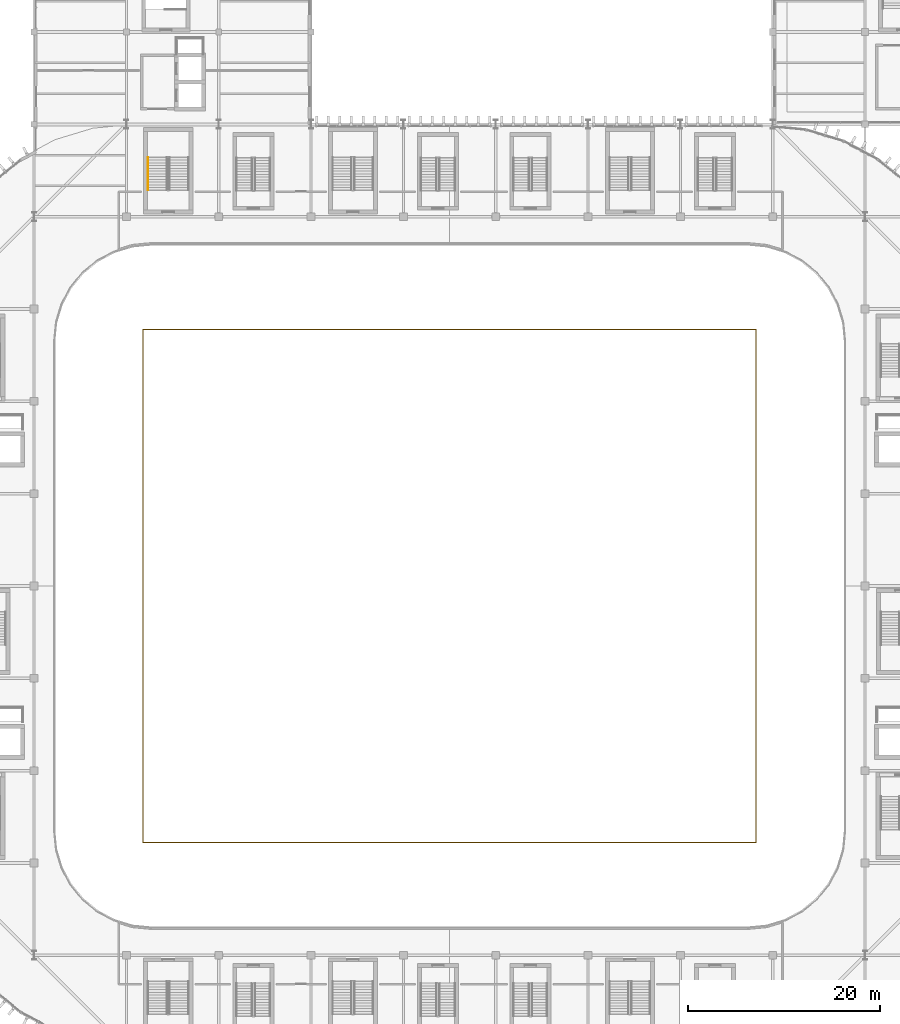
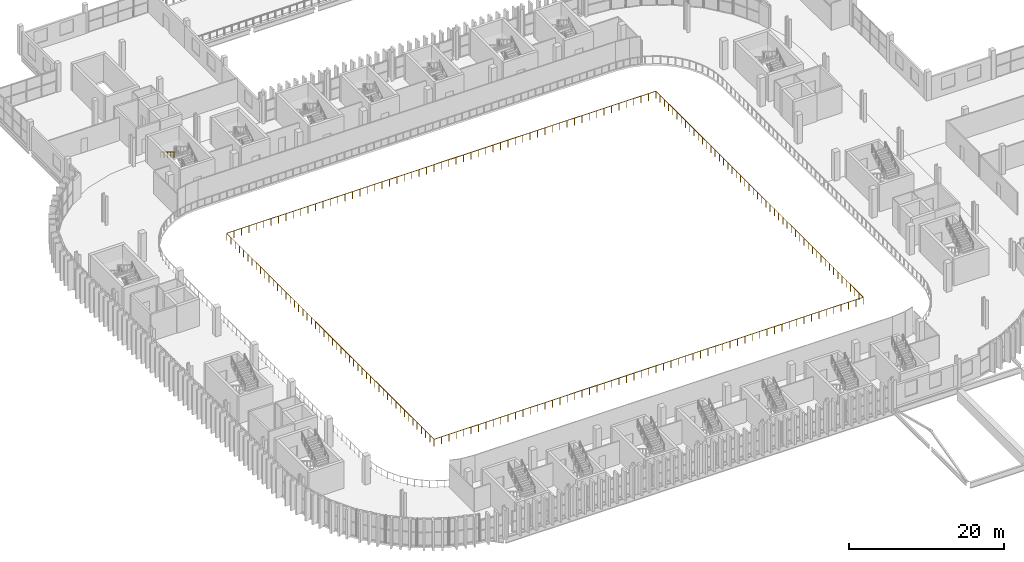
# One storey, part 67 of 75: 2 railings.
"""IFC4 building model written with IfcOpenShell, lengths in metres."""

from ifc_helpers import new_model, si_unit, direction, frame, origin, origin_2d, place, context, subcontext, project, spatial, circle, extrude, material, type_object, element, save


model = new_model("IFC4")

# Units and contexts
model_context = context("Model", 3, precision=1e-05, world=origin(), true_north=direction((0.0, 1.0)))
body_context = subcontext(model_context, "Body", "Model", "MODEL_VIEW")
ifc_project = project(units=[si_unit("LENGTHUNIT", "METRE"), si_unit("AREAUNIT", "SQUARE_METRE"), si_unit("VOLUMEUNIT", "CUBIC_METRE"), si_unit("PLANEANGLEUNIT", "RADIAN"), si_unit("MASSUNIT", "GRAM", prefix="KILO")], contexts=[model_context])

# Site, building, storey
site_placement = place(None, origin())
site = spatial("IfcSite", under=ifc_project, at=site_placement, CompositionType="ELEMENT")
building_placement = place(site_placement, origin())
building = spatial("IfcBuilding", under=site, at=building_placement, Name="Caelomonte Colonnade Arena", CompositionType="ELEMENT")
storey_placement = place(building_placement, frame((0.0, 0.0, 14.10009765625)))
storey = spatial("IfcBuildingStorey", under=building, at=storey_placement, Name="L03", CompositionType="ELEMENT", Elevation=14.10009765625)

# Railings
ifc_material_1 = material(Name="Painted galvanized steel handrail and posts", Category="steel")
railing_type_1 = type_object("IfcRailingType", Name="ENV-RL-GRD1", PredefinedType="GUARDRAIL", material=ifc_material_1)
railing_1_placement = place(storey_placement, frame((142.280029296875, 40.52001953125, 0.5)))
element("IfcRailing", 1, at=railing_1_placement, inside=storey, type_object=railing_type_1, Name="Upper bowl cantilevered front crowd barrier 1", PredefinedType="GUARDRAIL", context=body_context, shape_type="SweptSolid", body=[
    extrude(circle(Radius=0.02392578125, at=origin_2d()), frame((0.0, 0.03125, 1.076171875), z_axis=(0.0, 1.0, 0.0), x_axis=(-1.0, 0.0, 0.0)), (0.0, 0.0, 1.0), 53.29736328125),
    extrude(circle(Radius=0.02392578125, at=origin_2d()), frame((-0.03125, 53.35986328125, 1.076171875), z_axis=(-1.0, 0.0, 0.0), x_axis=(0.0, -1.0, 0.0)), (0.0, 0.0, 1.0), 63.697509765625),
    extrude(circle(Radius=0.02392578125, at=origin_2d()), frame((-63.760009765625, 53.32861328125, 1.076171875), z_axis=(0.0, -1.0, 0.0), x_axis=(1.0, 0.0, 0.0)), (0.0, 0.0, 1.0), 53.29736328125),
    extrude(circle(Radius=0.02392578125, at=origin_2d()), frame((-63.728759765625, 0.0, 1.076171875), z_axis=(1.0, 0.0, 0.0), x_axis=(0.0, 1.0, 0.0)), (0.0, 0.0, 1.0), 63.697509765625),
    extrude(circle(Radius=0.02099609375, at=origin_2d()), origin(), (0.0, 0.0, 1.0), 1.048095703125),
    extrude(circle(Radius=0.02099609375, at=origin_2d()), frame((0.0, 1.0888671875, 0.0)), (0.0, 0.0, 1.0), 1.048095703125),
    extrude(circle(Radius=0.02099609375, at=origin_2d()), frame((0.0, 2.177978515625, 0.0)), (0.0, 0.0, 1.0), 1.048095703125),
    extrude(circle(Radius=0.02099609375, at=origin_2d()), frame((0.0, 3.266845703125, 0.0)), (0.0, 0.0, 1.0), 1.048095703125),
    extrude(circle(Radius=0.02099609375, at=origin_2d()), frame((0.0, 4.35595703125, 0.0)), (0.0, 0.0, 1.0), 1.048095703125),
    extrude(circle(Radius=0.02099609375, at=origin_2d()), frame((0.0, 5.44482421875, 0.0)), (0.0, 0.0, 1.0), 1.048095703125),
    extrude(circle(Radius=0.02099609375, at=origin_2d()), frame((0.0, 6.533935546875, 0.0)), (0.0, 0.0, 1.0), 1.048095703125),
    extrude(circle(Radius=0.02099609375, at=origin_2d()), frame((0.0, 7.622802734375, 0.0)), (0.0, 0.0, 1.0), 1.048095703125),
    extrude(circle(Radius=0.02099609375, at=origin_2d()), frame((0.0, 8.7119140625, 0.0)), (0.0, 0.0, 1.0), 1.048095703125),
    extrude(circle(Radius=0.02099609375, at=origin_2d()), frame((0.0, 9.80078125, 0.0)), (0.0, 0.0, 1.0), 1.048095703125),
    extrude(circle(Radius=0.02099609375, at=origin_2d()), frame((0.0, 10.8896484375, 0.0)), (0.0, 0.0, 1.0), 1.048095703125),
    extrude(circle(Radius=0.02099609375, at=origin_2d()), frame((0.0, 11.978759765625, 0.0)), (0.0, 0.0, 1.0), 1.048095703125),
    extrude(circle(Radius=0.02099609375, at=origin_2d()), frame((0.0, 13.067626953125, 0.0)), (0.0, 0.0, 1.0), 1.048095703125),
    extrude(circle(Radius=0.02099609375, at=origin_2d()), frame((0.0, 14.15673828125, 0.0)), (0.0, 0.0, 1.0), 1.048095703125),
    extrude(circle(Radius=0.02099609375, at=origin_2d()), frame((0.0, 15.24560546875, 0.0)), (0.0, 0.0, 1.0), 1.048095703125),
    extrude(circle(Radius=0.02099609375, at=origin_2d()), frame((0.0, 16.334716796875, 0.0)), (0.0, 0.0, 1.0), 1.048095703125),
    extrude(circle(Radius=0.02099609375, at=origin_2d()), frame((0.0, 17.423583984375, 0.0)), (0.0, 0.0, 1.0), 1.048095703125),
    extrude(circle(Radius=0.02099609375, at=origin_2d()), frame((0.0, 18.5126953125, 0.0)), (0.0, 0.0, 1.0), 1.048095703125),
    extrude(circle(Radius=0.02099609375, at=origin_2d()), frame((0.0, 19.6015625, 0.0)), (0.0, 0.0, 1.0), 1.048095703125),
    extrude(circle(Radius=0.02099609375, at=origin_2d()), frame((0.0, 20.690673828125, 0.0)), (0.0, 0.0, 1.0), 1.048095703125),
    extrude(circle(Radius=0.02099609375, at=origin_2d()), frame((0.0, 21.779541015625, 0.0)), (0.0, 0.0, 1.0), 1.048095703125),
    extrude(circle(Radius=0.02099609375, at=origin_2d()), frame((0.0, 22.868408203125, 0.0)), (0.0, 0.0, 1.0), 1.048095703125),
    extrude(circle(Radius=0.02099609375, at=origin_2d()), frame((0.0, 23.95751953125, 0.0)), (0.0, 0.0, 1.0), 1.048095703125),
    extrude(circle(Radius=0.02099609375, at=origin_2d()), frame((0.0, 25.04638671875, 0.0)), (0.0, 0.0, 1.0), 1.048095703125),
    extrude(circle(Radius=0.02099609375, at=origin_2d()), frame((0.0, 26.135498046875, 0.0)), (0.0, 0.0, 1.0), 1.048095703125),
    extrude(circle(Radius=0.02099609375, at=origin_2d()), frame((0.0, 27.224365234375, 0.0)), (0.0, 0.0, 1.0), 1.048095703125),
    extrude(circle(Radius=0.02099609375, at=origin_2d()), frame((0.0, 28.3134765625, 0.0)), (0.0, 0.0, 1.0), 1.048095703125),
    extrude(circle(Radius=0.02099609375, at=origin_2d()), frame((0.0, 29.40234375, 0.0)), (0.0, 0.0, 1.0), 1.048095703125),
    extrude(circle(Radius=0.02099609375, at=origin_2d()), frame((0.0, 30.491455078125, 0.0)), (0.0, 0.0, 1.0), 1.048095703125),
    extrude(circle(Radius=0.02099609375, at=origin_2d()), frame((0.0, 31.580322265625, 0.0)), (0.0, 0.0, 1.0), 1.048095703125),
    extrude(circle(Radius=0.02099609375, at=origin_2d()), frame((0.0, 32.669189453125, 0.0)), (0.0, 0.0, 1.0), 1.048095703125),
    extrude(circle(Radius=0.02099609375, at=origin_2d()), frame((0.0, 33.75830078125, 0.0)), (0.0, 0.0, 1.0), 1.048095703125),
    extrude(circle(Radius=0.02099609375, at=origin_2d()), frame((0.0, 34.84716796875, 0.0)), (0.0, 0.0, 1.0), 1.048095703125),
    extrude(circle(Radius=0.02099609375, at=origin_2d()), frame((0.0, 35.936279296875, 0.0)), (0.0, 0.0, 1.0), 1.048095703125),
    extrude(circle(Radius=0.02099609375, at=origin_2d()), frame((0.0, 37.025146484375, 0.0)), (0.0, 0.0, 1.0), 1.048095703125),
    extrude(circle(Radius=0.02099609375, at=origin_2d()), frame((0.0, 38.1142578125, 0.0)), (0.0, 0.0, 1.0), 1.048095703125),
    extrude(circle(Radius=0.02099609375, at=origin_2d()), frame((0.0, 39.203125, 0.0)), (0.0, 0.0, 1.0), 1.048095703125),
    extrude(circle(Radius=0.02099609375, at=origin_2d()), frame((0.0, 40.292236328125, 0.0)), (0.0, 0.0, 1.0), 1.048095703125),
    extrude(circle(Radius=0.02099609375, at=origin_2d()), frame((0.0, 41.381103515625, 0.0)), (0.0, 0.0, 1.0), 1.048095703125),
    extrude(circle(Radius=0.02099609375, at=origin_2d()), frame((0.0, 42.47021484375, 0.0)), (0.0, 0.0, 1.0), 1.048095703125),
    extrude(circle(Radius=0.02099609375, at=origin_2d()), frame((0.0, 43.55908203125, 0.0)), (0.0, 0.0, 1.0), 1.048095703125),
    extrude(circle(Radius=0.02099609375, at=origin_2d()), frame((0.0, 44.64794921875, 0.0)), (0.0, 0.0, 1.0), 1.048095703125),
    extrude(circle(Radius=0.02099609375, at=origin_2d()), frame((0.0, 45.737060546875, 0.0)), (0.0, 0.0, 1.0), 1.048095703125),
    extrude(circle(Radius=0.02099609375, at=origin_2d()), frame((0.0, 46.825927734375, 0.0)), (0.0, 0.0, 1.0), 1.048095703125),
    extrude(circle(Radius=0.02099609375, at=origin_2d()), frame((0.0, 47.9150390625, 0.0)), (0.0, 0.0, 1.0), 1.048095703125),
    extrude(circle(Radius=0.02099609375, at=origin_2d()), frame((0.0, 49.00390625, 0.0)), (0.0, 0.0, 1.0), 1.048095703125),
    extrude(circle(Radius=0.02099609375, at=origin_2d()), frame((0.0, 50.093017578125, 0.0)), (0.0, 0.0, 1.0), 1.048095703125),
    extrude(circle(Radius=0.02099609375, at=origin_2d()), frame((0.0, 51.181884765625, 0.0)), (0.0, 0.0, 1.0), 1.048095703125),
    extrude(circle(Radius=0.02099609375, at=origin_2d()), frame((0.0, 52.27099609375, 0.0)), (0.0, 0.0, 1.0), 1.048095703125),
    extrude(circle(Radius=0.02099609375, at=origin_2d()), frame((0.0, 53.35986328125, 0.0)), (0.0, 0.0, 1.0), 1.048095703125),
    extrude(circle(Radius=0.02099609375, at=origin_2d()), frame((-1.099365234375, 53.35986328125, 0.0)), (0.0, 0.0, 1.0), 1.048095703125),
    extrude(circle(Radius=0.02099609375, at=origin_2d()), frame((-2.19873046875, 53.35986328125, 0.0)), (0.0, 0.0, 1.0), 1.048095703125),
    extrude(circle(Radius=0.02099609375, at=origin_2d()), frame((-3.2978515625, 53.35986328125, 0.0)), (0.0, 0.0, 1.0), 1.048095703125),
    extrude(circle(Radius=0.02099609375, at=origin_2d()), frame((-4.397216796875, 53.35986328125, 0.0)), (0.0, 0.0, 1.0), 1.048095703125),
    extrude(circle(Radius=0.02099609375, at=origin_2d()), frame((-5.49658203125, 53.35986328125, 0.0)), (0.0, 0.0, 1.0), 1.048095703125),
    extrude(circle(Radius=0.02099609375, at=origin_2d()), frame((-6.595947265625, 53.35986328125, 0.0)), (0.0, 0.0, 1.0), 1.048095703125),
    extrude(circle(Radius=0.02099609375, at=origin_2d()), frame((-7.695068359375, 53.35986328125, 0.0)), (0.0, 0.0, 1.0), 1.048095703125),
    extrude(circle(Radius=0.02099609375, at=origin_2d()), frame((-8.79443359375, 53.35986328125, 0.0)), (0.0, 0.0, 1.0), 1.048095703125),
    extrude(circle(Radius=0.02099609375, at=origin_2d()), frame((-9.893798828125, 53.35986328125, 0.0)), (0.0, 0.0, 1.0), 1.048095703125),
    extrude(circle(Radius=0.02099609375, at=origin_2d()), frame((-10.9931640625, 53.35986328125, 0.0)), (0.0, 0.0, 1.0), 1.048095703125),
    extrude(circle(Radius=0.02099609375, at=origin_2d()), frame((-12.092529296875, 53.35986328125, 0.0)), (0.0, 0.0, 1.0), 1.048095703125),
    extrude(circle(Radius=0.02099609375, at=origin_2d()), frame((-13.191650390625, 53.35986328125, 0.0)), (0.0, 0.0, 1.0), 1.048095703125),
    extrude(circle(Radius=0.02099609375, at=origin_2d()), frame((-14.291015625, 53.35986328125, 0.0)), (0.0, 0.0, 1.0), 1.048095703125),
    extrude(circle(Radius=0.02099609375, at=origin_2d()), frame((-15.390380859375, 53.35986328125, 0.0)), (0.0, 0.0, 1.0), 1.048095703125),
    extrude(circle(Radius=0.02099609375, at=origin_2d()), frame((-16.48974609375, 53.35986328125, 0.0)), (0.0, 0.0, 1.0), 1.048095703125),
    extrude(circle(Radius=0.02099609375, at=origin_2d()), frame((-17.5888671875, 53.35986328125, 0.0)), (0.0, 0.0, 1.0), 1.048095703125),
    extrude(circle(Radius=0.02099609375, at=origin_2d()), frame((-18.688232421875, 53.35986328125, 0.0)), (0.0, 0.0, 1.0), 1.048095703125),
    extrude(circle(Radius=0.02099609375, at=origin_2d()), frame((-19.78759765625, 53.35986328125, 0.0)), (0.0, 0.0, 1.0), 1.048095703125),
    extrude(circle(Radius=0.02099609375, at=origin_2d()), frame((-20.886962890625, 53.35986328125, 0.0)), (0.0, 0.0, 1.0), 1.048095703125),
    extrude(circle(Radius=0.02099609375, at=origin_2d()), frame((-21.986328125, 53.35986328125, 0.0)), (0.0, 0.0, 1.0), 1.048095703125),
    extrude(circle(Radius=0.02099609375, at=origin_2d()), frame((-23.08544921875, 53.35986328125, 0.0)), (0.0, 0.0, 1.0), 1.048095703125),
    extrude(circle(Radius=0.02099609375, at=origin_2d()), frame((-24.184814453125, 53.35986328125, 0.0)), (0.0, 0.0, 1.0), 1.048095703125),
    extrude(circle(Radius=0.02099609375, at=origin_2d()), frame((-25.2841796875, 53.35986328125, 0.0)), (0.0, 0.0, 1.0), 1.048095703125),
    extrude(circle(Radius=0.02099609375, at=origin_2d()), frame((-26.383544921875, 53.35986328125, 0.0)), (0.0, 0.0, 1.0), 1.048095703125),
    extrude(circle(Radius=0.02099609375, at=origin_2d()), frame((-27.482666015625, 53.35986328125, 0.0)), (0.0, 0.0, 1.0), 1.048095703125),
    extrude(circle(Radius=0.02099609375, at=origin_2d()), frame((-28.58203125, 53.35986328125, 0.0)), (0.0, 0.0, 1.0), 1.048095703125),
    extrude(circle(Radius=0.02099609375, at=origin_2d()), frame((-29.681396484375, 53.35986328125, 0.0)), (0.0, 0.0, 1.0), 1.048095703125),
    extrude(circle(Radius=0.02099609375, at=origin_2d()), frame((-30.78076171875, 53.35986328125, 0.0)), (0.0, 0.0, 1.0), 1.048095703125),
    extrude(circle(Radius=0.02099609375, at=origin_2d()), frame((-31.8798828125, 53.35986328125, 0.0)), (0.0, 0.0, 1.0), 1.048095703125),
    extrude(circle(Radius=0.02099609375, at=origin_2d()), frame((-32.979248046875, 53.35986328125, 0.0)), (0.0, 0.0, 1.0), 1.048095703125),
    extrude(circle(Radius=0.02099609375, at=origin_2d()), frame((-34.07861328125, 53.35986328125, 0.0)), (0.0, 0.0, 1.0), 1.048095703125),
    extrude(circle(Radius=0.02099609375, at=origin_2d()), frame((-35.177978515625, 53.35986328125, 0.0)), (0.0, 0.0, 1.0), 1.048095703125),
    extrude(circle(Radius=0.02099609375, at=origin_2d()), frame((-36.27734375, 53.35986328125, 0.0)), (0.0, 0.0, 1.0), 1.048095703125),
    extrude(circle(Radius=0.02099609375, at=origin_2d()), frame((-37.37646484375, 53.35986328125, 0.0)), (0.0, 0.0, 1.0), 1.048095703125),
    extrude(circle(Radius=0.02099609375, at=origin_2d()), frame((-38.475830078125, 53.35986328125, 0.0)), (0.0, 0.0, 1.0), 1.048095703125),
    extrude(circle(Radius=0.02099609375, at=origin_2d()), frame((-39.5751953125, 53.35986328125, 0.0)), (0.0, 0.0, 1.0), 1.048095703125),
    extrude(circle(Radius=0.02099609375, at=origin_2d()), frame((-40.674560546875, 53.35986328125, 0.0)), (0.0, 0.0, 1.0), 1.048095703125),
    extrude(circle(Radius=0.02099609375, at=origin_2d()), frame((-41.773681640625, 53.35986328125, 0.0)), (0.0, 0.0, 1.0), 1.048095703125),
    extrude(circle(Radius=0.02099609375, at=origin_2d()), frame((-42.873046875, 53.35986328125, 0.0)), (0.0, 0.0, 1.0), 1.048095703125),
    extrude(circle(Radius=0.02099609375, at=origin_2d()), frame((-43.972412109375, 53.35986328125, 0.0)), (0.0, 0.0, 1.0), 1.048095703125),
    extrude(circle(Radius=0.02099609375, at=origin_2d()), frame((-45.07177734375, 53.35986328125, 0.0)), (0.0, 0.0, 1.0), 1.048095703125),
    extrude(circle(Radius=0.02099609375, at=origin_2d()), frame((-46.171142578125, 53.35986328125, 0.0)), (0.0, 0.0, 1.0), 1.048095703125),
    extrude(circle(Radius=0.02099609375, at=origin_2d()), frame((-47.270263671875, 53.35986328125, 0.0)), (0.0, 0.0, 1.0), 1.048095703125),
    extrude(circle(Radius=0.02099609375, at=origin_2d()), frame((-48.36962890625, 53.35986328125, 0.0)), (0.0, 0.0, 1.0), 1.048095703125),
    extrude(circle(Radius=0.02099609375, at=origin_2d()), frame((-49.468994140625, 53.35986328125, 0.0)), (0.0, 0.0, 1.0), 1.048095703125),
    extrude(circle(Radius=0.02099609375, at=origin_2d()), frame((-50.568359375, 53.35986328125, 0.0)), (0.0, 0.0, 1.0), 1.048095703125),
    extrude(circle(Radius=0.02099609375, at=origin_2d()), frame((-51.66748046875, 53.35986328125, 0.0)), (0.0, 0.0, 1.0), 1.048095703125),
    extrude(circle(Radius=0.02099609375, at=origin_2d()), frame((-52.766845703125, 53.35986328125, 0.0)), (0.0, 0.0, 1.0), 1.048095703125),
    extrude(circle(Radius=0.02099609375, at=origin_2d()), frame((-53.8662109375, 53.35986328125, 0.0)), (0.0, 0.0, 1.0), 1.048095703125),
    extrude(circle(Radius=0.02099609375, at=origin_2d()), frame((-54.965576171875, 53.35986328125, 0.0)), (0.0, 0.0, 1.0), 1.048095703125),
    extrude(circle(Radius=0.02099609375, at=origin_2d()), frame((-56.06494140625, 53.35986328125, 0.0)), (0.0, 0.0, 1.0), 1.048095703125),
    extrude(circle(Radius=0.02099609375, at=origin_2d()), frame((-57.1640625, 53.35986328125, 0.0)), (0.0, 0.0, 1.0), 1.048095703125),
    extrude(circle(Radius=0.02099609375, at=origin_2d()), frame((-58.263427734375, 53.35986328125, 0.0)), (0.0, 0.0, 1.0), 1.048095703125),
    extrude(circle(Radius=0.02099609375, at=origin_2d()), frame((-59.36279296875, 53.35986328125, 0.0)), (0.0, 0.0, 1.0), 1.048095703125),
    extrude(circle(Radius=0.02099609375, at=origin_2d()), frame((-60.462158203125, 53.35986328125, 0.0)), (0.0, 0.0, 1.0), 1.048095703125),
    extrude(circle(Radius=0.02099609375, at=origin_2d()), frame((-61.561279296875, 53.35986328125, 0.0)), (0.0, 0.0, 1.0), 1.048095703125),
    extrude(circle(Radius=0.02099609375, at=origin_2d()), frame((-62.66064453125, 53.35986328125, 0.0)), (0.0, 0.0, 1.0), 1.048095703125),
    extrude(circle(Radius=0.02099609375, at=origin_2d()), frame((-63.760009765625, 53.35986328125, 0.0)), (0.0, 0.0, 1.0), 1.048095703125),
    extrude(circle(Radius=0.02099609375, at=origin_2d()), frame((-63.760009765625, 52.27099609375, 0.0)), (0.0, 0.0, 1.0), 1.048095703125),
    extrude(circle(Radius=0.02099609375, at=origin_2d()), frame((-63.760009765625, 51.181884765625, 0.0)), (0.0, 0.0, 1.0), 1.048095703125),
    extrude(circle(Radius=0.02099609375, at=origin_2d()), frame((-63.760009765625, 50.093017578125, 0.0)), (0.0, 0.0, 1.0), 1.048095703125),
    extrude(circle(Radius=0.02099609375, at=origin_2d()), frame((-63.760009765625, 49.00390625, 0.0)), (0.0, 0.0, 1.0), 1.048095703125),
    extrude(circle(Radius=0.02099609375, at=origin_2d()), frame((-63.760009765625, 47.9150390625, 0.0)), (0.0, 0.0, 1.0), 1.048095703125),
    extrude(circle(Radius=0.02099609375, at=origin_2d()), frame((-63.760009765625, 46.825927734375, 0.0)), (0.0, 0.0, 1.0), 1.048095703125),
    extrude(circle(Radius=0.02099609375, at=origin_2d()), frame((-63.760009765625, 45.737060546875, 0.0)), (0.0, 0.0, 1.0), 1.048095703125),
    extrude(circle(Radius=0.02099609375, at=origin_2d()), frame((-63.760009765625, 44.64794921875, 0.0)), (0.0, 0.0, 1.0), 1.048095703125),
    extrude(circle(Radius=0.02099609375, at=origin_2d()), frame((-63.760009765625, 43.55908203125, 0.0)), (0.0, 0.0, 1.0), 1.048095703125),
    extrude(circle(Radius=0.02099609375, at=origin_2d()), frame((-63.760009765625, 42.47021484375, 0.0)), (0.0, 0.0, 1.0), 1.048095703125),
    extrude(circle(Radius=0.02099609375, at=origin_2d()), frame((-63.760009765625, 41.381103515625, 0.0)), (0.0, 0.0, 1.0), 1.048095703125),
    extrude(circle(Radius=0.02099609375, at=origin_2d()), frame((-63.760009765625, 40.292236328125, 0.0)), (0.0, 0.0, 1.0), 1.048095703125),
    extrude(circle(Radius=0.02099609375, at=origin_2d()), frame((-63.760009765625, 39.203125, 0.0)), (0.0, 0.0, 1.0), 1.048095703125),
    extrude(circle(Radius=0.02099609375, at=origin_2d()), frame((-63.760009765625, 38.1142578125, 0.0)), (0.0, 0.0, 1.0), 1.048095703125),
    extrude(circle(Radius=0.02099609375, at=origin_2d()), frame((-63.760009765625, 37.025146484375, 0.0)), (0.0, 0.0, 1.0), 1.048095703125),
    extrude(circle(Radius=0.02099609375, at=origin_2d()), frame((-63.760009765625, 35.936279296875, 0.0)), (0.0, 0.0, 1.0), 1.048095703125),
    extrude(circle(Radius=0.02099609375, at=origin_2d()), frame((-63.760009765625, 34.84716796875, 0.0)), (0.0, 0.0, 1.0), 1.048095703125),
    extrude(circle(Radius=0.02099609375, at=origin_2d()), frame((-63.760009765625, 33.75830078125, 0.0)), (0.0, 0.0, 1.0), 1.048095703125),
    extrude(circle(Radius=0.02099609375, at=origin_2d()), frame((-63.760009765625, 32.669189453125, 0.0)), (0.0, 0.0, 1.0), 1.048095703125),
    extrude(circle(Radius=0.02099609375, at=origin_2d()), frame((-63.760009765625, 31.580322265625, 0.0)), (0.0, 0.0, 1.0), 1.048095703125),
    extrude(circle(Radius=0.02099609375, at=origin_2d()), frame((-63.760009765625, 30.491455078125, 0.0)), (0.0, 0.0, 1.0), 1.048095703125),
    extrude(circle(Radius=0.02099609375, at=origin_2d()), frame((-63.760009765625, 29.40234375, 0.0)), (0.0, 0.0, 1.0), 1.048095703125),
    extrude(circle(Radius=0.02099609375, at=origin_2d()), frame((-63.760009765625, 28.3134765625, 0.0)), (0.0, 0.0, 1.0), 1.048095703125),
    extrude(circle(Radius=0.02099609375, at=origin_2d()), frame((-63.760009765625, 27.224365234375, 0.0)), (0.0, 0.0, 1.0), 1.048095703125),
    extrude(circle(Radius=0.02099609375, at=origin_2d()), frame((-63.760009765625, 26.135498046875, 0.0)), (0.0, 0.0, 1.0), 1.048095703125),
    extrude(circle(Radius=0.02099609375, at=origin_2d()), frame((-63.760009765625, 25.04638671875, 0.0)), (0.0, 0.0, 1.0), 1.048095703125),
    extrude(circle(Radius=0.02099609375, at=origin_2d()), frame((-63.760009765625, 23.95751953125, 0.0)), (0.0, 0.0, 1.0), 1.048095703125),
    extrude(circle(Radius=0.02099609375, at=origin_2d()), frame((-63.760009765625, 22.868408203125, 0.0)), (0.0, 0.0, 1.0), 1.048095703125),
    extrude(circle(Radius=0.02099609375, at=origin_2d()), frame((-63.760009765625, 21.779541015625, 0.0)), (0.0, 0.0, 1.0), 1.048095703125),
    extrude(circle(Radius=0.02099609375, at=origin_2d()), frame((-63.760009765625, 20.690673828125, 0.0)), (0.0, 0.0, 1.0), 1.048095703125),
    extrude(circle(Radius=0.02099609375, at=origin_2d()), frame((-63.760009765625, 19.6015625, 0.0)), (0.0, 0.0, 1.0), 1.048095703125),
    extrude(circle(Radius=0.02099609375, at=origin_2d()), frame((-63.760009765625, 18.5126953125, 0.0)), (0.0, 0.0, 1.0), 1.048095703125),
    extrude(circle(Radius=0.02099609375, at=origin_2d()), frame((-63.760009765625, 17.423583984375, 0.0)), (0.0, 0.0, 1.0), 1.048095703125),
    extrude(circle(Radius=0.02099609375, at=origin_2d()), frame((-63.760009765625, 16.334716796875, 0.0)), (0.0, 0.0, 1.0), 1.048095703125),
    extrude(circle(Radius=0.02099609375, at=origin_2d()), frame((-63.760009765625, 15.24560546875, 0.0)), (0.0, 0.0, 1.0), 1.048095703125),
    extrude(circle(Radius=0.02099609375, at=origin_2d()), frame((-63.760009765625, 14.15673828125, 0.0)), (0.0, 0.0, 1.0), 1.048095703125),
    extrude(circle(Radius=0.02099609375, at=origin_2d()), frame((-63.760009765625, 13.067626953125, 0.0)), (0.0, 0.0, 1.0), 1.048095703125),
    extrude(circle(Radius=0.02099609375, at=origin_2d()), frame((-63.760009765625, 11.978759765625, 0.0)), (0.0, 0.0, 1.0), 1.048095703125),
    extrude(circle(Radius=0.02099609375, at=origin_2d()), frame((-63.760009765625, 10.8896484375, 0.0)), (0.0, 0.0, 1.0), 1.048095703125),
    extrude(circle(Radius=0.02099609375, at=origin_2d()), frame((-63.760009765625, 9.80078125, 0.0)), (0.0, 0.0, 1.0), 1.048095703125),
    extrude(circle(Radius=0.02099609375, at=origin_2d()), frame((-63.760009765625, 8.7119140625, 0.0)), (0.0, 0.0, 1.0), 1.048095703125),
    extrude(circle(Radius=0.02099609375, at=origin_2d()), frame((-63.760009765625, 7.622802734375, 0.0)), (0.0, 0.0, 1.0), 1.048095703125),
    extrude(circle(Radius=0.02099609375, at=origin_2d()), frame((-63.760009765625, 6.533935546875, 0.0)), (0.0, 0.0, 1.0), 1.048095703125),
    extrude(circle(Radius=0.02099609375, at=origin_2d()), frame((-63.760009765625, 5.44482421875, 0.0)), (0.0, 0.0, 1.0), 1.048095703125),
    extrude(circle(Radius=0.02099609375, at=origin_2d()), frame((-63.760009765625, 4.35595703125, 0.0)), (0.0, 0.0, 1.0), 1.048095703125),
    extrude(circle(Radius=0.02099609375, at=origin_2d()), frame((-63.760009765625, 3.266845703125, 0.0)), (0.0, 0.0, 1.0), 1.048095703125),
    extrude(circle(Radius=0.02099609375, at=origin_2d()), frame((-63.760009765625, 2.177978515625, 0.0)), (0.0, 0.0, 1.0), 1.048095703125),
    extrude(circle(Radius=0.02099609375, at=origin_2d()), frame((-63.760009765625, 1.0888671875, 0.0)), (0.0, 0.0, 1.0), 1.048095703125),
    extrude(circle(Radius=0.02099609375, at=origin_2d()), frame((-63.760009765625, 0.0, 0.0)), (0.0, 0.0, 1.0), 1.048095703125),
    extrude(circle(Radius=0.02099609375, at=origin_2d()), frame((-62.66064453125, 0.0, 0.0)), (0.0, 0.0, 1.0), 1.048095703125),
    extrude(circle(Radius=0.02099609375, at=origin_2d()), frame((-61.561279296875, 0.0, 0.0)), (0.0, 0.0, 1.0), 1.048095703125),
    extrude(circle(Radius=0.02099609375, at=origin_2d()), frame((-60.462158203125, 0.0, 0.0)), (0.0, 0.0, 1.0), 1.048095703125),
    extrude(circle(Radius=0.02099609375, at=origin_2d()), frame((-59.36279296875, 0.0, 0.0)), (0.0, 0.0, 1.0), 1.048095703125),
    extrude(circle(Radius=0.02099609375, at=origin_2d()), frame((-58.263427734375, 0.0, 0.0)), (0.0, 0.0, 1.0), 1.048095703125),
    extrude(circle(Radius=0.02099609375, at=origin_2d()), frame((-57.1640625, 0.0, 0.0)), (0.0, 0.0, 1.0), 1.048095703125),
    extrude(circle(Radius=0.02099609375, at=origin_2d()), frame((-56.06494140625, 0.0, 0.0)), (0.0, 0.0, 1.0), 1.048095703125),
    extrude(circle(Radius=0.02099609375, at=origin_2d()), frame((-54.965576171875, 0.0, 0.0)), (0.0, 0.0, 1.0), 1.048095703125),
    extrude(circle(Radius=0.02099609375, at=origin_2d()), frame((-53.8662109375, 0.0, 0.0)), (0.0, 0.0, 1.0), 1.048095703125),
    extrude(circle(Radius=0.02099609375, at=origin_2d()), frame((-52.766845703125, 0.0, 0.0)), (0.0, 0.0, 1.0), 1.048095703125),
    extrude(circle(Radius=0.02099609375, at=origin_2d()), frame((-51.66748046875, 0.0, 0.0)), (0.0, 0.0, 1.0), 1.048095703125),
    extrude(circle(Radius=0.02099609375, at=origin_2d()), frame((-50.568359375, 0.0, 0.0)), (0.0, 0.0, 1.0), 1.048095703125),
    extrude(circle(Radius=0.02099609375, at=origin_2d()), frame((-49.468994140625, 0.0, 0.0)), (0.0, 0.0, 1.0), 1.048095703125),
    extrude(circle(Radius=0.02099609375, at=origin_2d()), frame((-48.36962890625, 0.0, 0.0)), (0.0, 0.0, 1.0), 1.048095703125),
    extrude(circle(Radius=0.02099609375, at=origin_2d()), frame((-47.270263671875, 0.0, 0.0)), (0.0, 0.0, 1.0), 1.048095703125),
    extrude(circle(Radius=0.02099609375, at=origin_2d()), frame((-46.171142578125, 0.0, 0.0)), (0.0, 0.0, 1.0), 1.048095703125),
    extrude(circle(Radius=0.02099609375, at=origin_2d()), frame((-45.07177734375, 0.0, 0.0)), (0.0, 0.0, 1.0), 1.048095703125),
    extrude(circle(Radius=0.02099609375, at=origin_2d()), frame((-43.972412109375, 0.0, 0.0)), (0.0, 0.0, 1.0), 1.048095703125),
    extrude(circle(Radius=0.02099609375, at=origin_2d()), frame((-42.873046875, 0.0, 0.0)), (0.0, 0.0, 1.0), 1.048095703125),
    extrude(circle(Radius=0.02099609375, at=origin_2d()), frame((-41.773681640625, 0.0, 0.0)), (0.0, 0.0, 1.0), 1.048095703125),
    extrude(circle(Radius=0.02099609375, at=origin_2d()), frame((-40.674560546875, 0.0, 0.0)), (0.0, 0.0, 1.0), 1.048095703125),
    extrude(circle(Radius=0.02099609375, at=origin_2d()), frame((-39.5751953125, 0.0, 0.0)), (0.0, 0.0, 1.0), 1.048095703125),
    extrude(circle(Radius=0.02099609375, at=origin_2d()), frame((-38.475830078125, 0.0, 0.0)), (0.0, 0.0, 1.0), 1.048095703125),
    extrude(circle(Radius=0.02099609375, at=origin_2d()), frame((-37.37646484375, 0.0, 0.0)), (0.0, 0.0, 1.0), 1.048095703125),
    extrude(circle(Radius=0.02099609375, at=origin_2d()), frame((-36.27734375, 0.0, 0.0)), (0.0, 0.0, 1.0), 1.048095703125),
    extrude(circle(Radius=0.02099609375, at=origin_2d()), frame((-35.177978515625, 0.0, 0.0)), (0.0, 0.0, 1.0), 1.048095703125),
    extrude(circle(Radius=0.02099609375, at=origin_2d()), frame((-34.07861328125, 0.0, 0.0)), (0.0, 0.0, 1.0), 1.048095703125),
    extrude(circle(Radius=0.02099609375, at=origin_2d()), frame((-32.979248046875, 0.0, 0.0)), (0.0, 0.0, 1.0), 1.048095703125),
    extrude(circle(Radius=0.02099609375, at=origin_2d()), frame((-31.8798828125, 0.0, 0.0)), (0.0, 0.0, 1.0), 1.048095703125),
    extrude(circle(Radius=0.02099609375, at=origin_2d()), frame((-30.78076171875, 0.0, 0.0)), (0.0, 0.0, 1.0), 1.048095703125),
    extrude(circle(Radius=0.02099609375, at=origin_2d()), frame((-29.681396484375, 0.0, 0.0)), (0.0, 0.0, 1.0), 1.048095703125),
    extrude(circle(Radius=0.02099609375, at=origin_2d()), frame((-28.58203125, 0.0, 0.0)), (0.0, 0.0, 1.0), 1.048095703125),
    extrude(circle(Radius=0.02099609375, at=origin_2d()), frame((-27.482666015625, 0.0, 0.0)), (0.0, 0.0, 1.0), 1.048095703125),
    extrude(circle(Radius=0.02099609375, at=origin_2d()), frame((-26.383544921875, 0.0, 0.0)), (0.0, 0.0, 1.0), 1.048095703125),
    extrude(circle(Radius=0.02099609375, at=origin_2d()), frame((-25.2841796875, 0.0, 0.0)), (0.0, 0.0, 1.0), 1.048095703125),
    extrude(circle(Radius=0.02099609375, at=origin_2d()), frame((-24.184814453125, 0.0, 0.0)), (0.0, 0.0, 1.0), 1.048095703125),
    extrude(circle(Radius=0.02099609375, at=origin_2d()), frame((-23.08544921875, 0.0, 0.0)), (0.0, 0.0, 1.0), 1.048095703125),
    extrude(circle(Radius=0.02099609375, at=origin_2d()), frame((-21.986328125, 0.0, 0.0)), (0.0, 0.0, 1.0), 1.048095703125),
    extrude(circle(Radius=0.02099609375, at=origin_2d()), frame((-20.886962890625, 0.0, 0.0)), (0.0, 0.0, 1.0), 1.048095703125),
    extrude(circle(Radius=0.02099609375, at=origin_2d()), frame((-19.78759765625, 0.0, 0.0)), (0.0, 0.0, 1.0), 1.048095703125),
    extrude(circle(Radius=0.02099609375, at=origin_2d()), frame((-18.688232421875, 0.0, 0.0)), (0.0, 0.0, 1.0), 1.048095703125),
    extrude(circle(Radius=0.02099609375, at=origin_2d()), frame((-17.5888671875, 0.0, 0.0)), (0.0, 0.0, 1.0), 1.048095703125),
    extrude(circle(Radius=0.02099609375, at=origin_2d()), frame((-16.48974609375, 0.0, 0.0)), (0.0, 0.0, 1.0), 1.048095703125),
    extrude(circle(Radius=0.02099609375, at=origin_2d()), frame((-15.390380859375, 0.0, 0.0)), (0.0, 0.0, 1.0), 1.048095703125),
    extrude(circle(Radius=0.02099609375, at=origin_2d()), frame((-14.291015625, 0.0, 0.0)), (0.0, 0.0, 1.0), 1.048095703125),
    extrude(circle(Radius=0.02099609375, at=origin_2d()), frame((-13.191650390625, 0.0, 0.0)), (0.0, 0.0, 1.0), 1.048095703125),
    extrude(circle(Radius=0.02099609375, at=origin_2d()), frame((-12.092529296875, 0.0, 0.0)), (0.0, 0.0, 1.0), 1.048095703125),
    extrude(circle(Radius=0.02099609375, at=origin_2d()), frame((-10.9931640625, 0.0, 0.0)), (0.0, 0.0, 1.0), 1.048095703125),
    extrude(circle(Radius=0.02099609375, at=origin_2d()), frame((-9.893798828125, 0.0, 0.0)), (0.0, 0.0, 1.0), 1.048095703125),
    extrude(circle(Radius=0.02099609375, at=origin_2d()), frame((-8.79443359375, 0.0, 0.0)), (0.0, 0.0, 1.0), 1.048095703125),
    extrude(circle(Radius=0.02099609375, at=origin_2d()), frame((-7.695068359375, 0.0, 0.0)), (0.0, 0.0, 1.0), 1.048095703125),
    extrude(circle(Radius=0.02099609375, at=origin_2d()), frame((-6.595947265625, 0.0, 0.0)), (0.0, 0.0, 1.0), 1.048095703125),
    extrude(circle(Radius=0.02099609375, at=origin_2d()), frame((-5.49658203125, 0.0, 0.0)), (0.0, 0.0, 1.0), 1.048095703125),
    extrude(circle(Radius=0.02099609375, at=origin_2d()), frame((-4.397216796875, 0.0, 0.0)), (0.0, 0.0, 1.0), 1.048095703125),
    extrude(circle(Radius=0.02099609375, at=origin_2d()), frame((-3.2978515625, 0.0, 0.0)), (0.0, 0.0, 1.0), 1.048095703125),
    extrude(circle(Radius=0.02099609375, at=origin_2d()), frame((-2.19873046875, 0.0, 0.0)), (0.0, 0.0, 1.0), 1.048095703125),
    extrude(circle(Radius=0.02099609375, at=origin_2d()), frame((-1.099365234375, 0.0, 0.0)), (0.0, 0.0, 1.0), 1.048095703125),
])
ifc_material_2 = material(Name="Brushed stainless steel stair handrail", Category="steel")
railing_type_2 = type_object("IfcRailingType", Name="INT-RL-HR", PredefinedType="HANDRAIL", material=ifc_material_2)
railing_2_placement = place(storey_placement, frame((79.050048828125, 111.77001953125, 2.423095703125)))
element("IfcRailing", 2, at=railing_2_placement, inside=storey, type_object=railing_type_2, Name="L03 ST-14 stair handrail 2", PredefinedType="HANDRAIL", context=body_context, shape_type="SweptSolid", body=[
    extrude(circle(Radius=0.02392578125, at=origin_2d()), frame((0.0, 0.0, 0.8759765625), z_axis=(0.0, -0.854729506542, 0.519073665916), x_axis=(1.0, 0.0, 0.0)), (0.0, 0.0, 1.0), 4.001220703125),
    extrude(circle(Radius=0.02099609375, at=origin_2d()), origin(), (0.0, 0.0, 1.0), 0.847900390625),
    extrude(circle(Radius=0.02099609375, at=origin_2d()), frame((0.0, -0.85498046875, 0.519287109375)), (0.0, 0.0, 1.0), 0.847900390625),
    extrude(circle(Radius=0.02099609375, at=origin_2d()), frame((0.0, -1.7099609375, 1.03857421875)), (0.0, 0.0, 1.0), 0.847900390625),
    extrude(circle(Radius=0.02099609375, at=origin_2d()), frame((0.0, -2.56494140625, 1.5576171875)), (0.0, 0.0, 1.0), 0.847900390625),
    extrude(circle(Radius=0.02099609375, at=origin_2d()), frame((0.0, -3.419921875, 2.076904296875)), (0.0, 0.0, 1.0), 0.847900390625),
])

save(model, "model.ifc")
